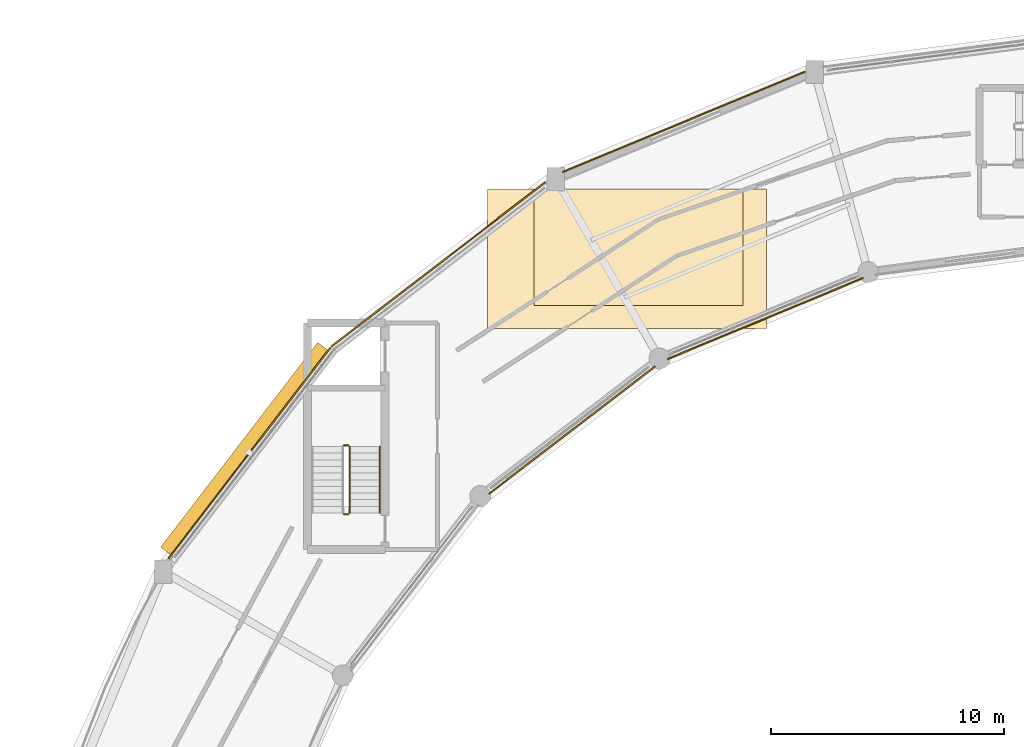
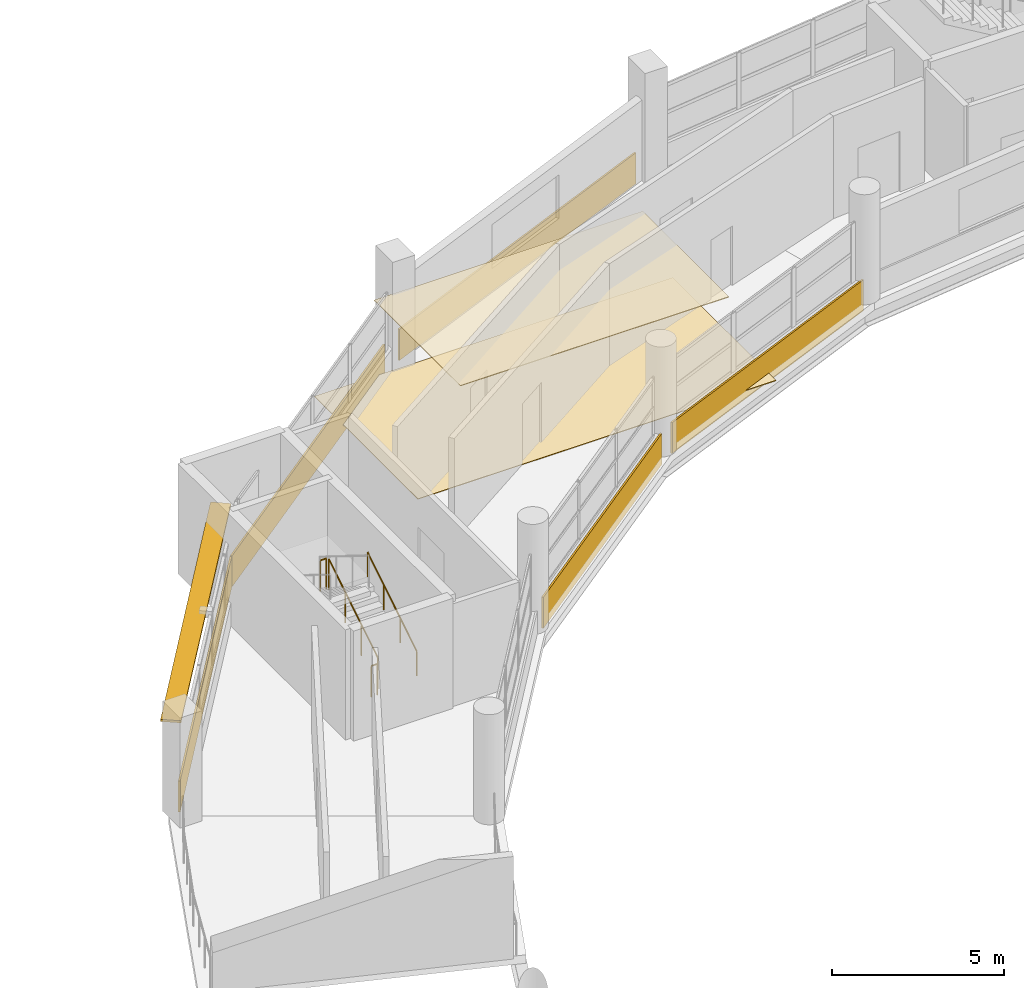
# One storey, part 85 of 88: 7 coverings, 4 railings, 1 shading device.
"""IFC4 building model written with IfcOpenShell, lengths in metres."""

from ifc_helpers import new_model, si_unit, direction, frame, frame_2d, origin, origin_2d, place, context, subcontext, project, spatial, polyline, rectangle, circle, outline, extrude, material, layer, layer_set, type_object, element, save


model = new_model("IFC4")

# Units and contexts
model_context = context("Model", 3, precision=1e-05, world=origin(), true_north=direction((0.0, 1.0)))
body_context = subcontext(model_context, "Body", "Model", "MODEL_VIEW")
ifc_project = project(units=[si_unit("LENGTHUNIT", "METRE"), si_unit("AREAUNIT", "SQUARE_METRE"), si_unit("VOLUMEUNIT", "CUBIC_METRE"), si_unit("PLANEANGLEUNIT", "RADIAN"), si_unit("MASSUNIT", "GRAM", prefix="KILO")], contexts=[model_context])

# Site, building, storey
site_placement = place(None, origin())
site = spatial("IfcSite", under=ifc_project, at=site_placement, CompositionType="ELEMENT")
building_placement = place(site_placement, origin())
building = spatial("IfcBuilding", under=site, at=building_placement, Name="Vespera Passage Community Centre", CompositionType="ELEMENT")
storey_placement = place(building_placement, frame((0.0, 0.0, 16.5)))
storey = spatial("IfcBuildingStorey", under=building, at=storey_placement, Name="L04", CompositionType="ELEMENT", Elevation=16.5)

# Coverings
ifc_material_1 = material(Name="Acoustic mineral-fibre tile")
ifc_layer_1 = layer(ifc_material_1, 0.02490234375)
ifc_layer_set_1 = layer_set([ifc_layer_1], Name="Acoustic mineral-fibre tile")
covering_type_1 = type_object("IfcCoveringType", Name="COV-CEIL-25I", PredefinedType="CEILING", material=ifc_layer_set_1)
covering_1_placement = place(storey_placement, frame((0.0, 0.0, 2.699951171875)))
element("IfcCovering", 1, at=covering_1_placement, inside=storey, type_object=covering_type_1, Name="Library Reading Hall Acoustic Ceiling", PredefinedType="CEILING", context=body_context, shape_type="SweptSolid", body=[
    extrude(outline(polyline([(54.0, 100.0), (63.0, 100.0), (63.0, 105.0), (54.0, 105.0), (54.0, 100.0)])), origin(), (0.0, 0.0, 1.0), 0.025146484375),
])
ifc_material_2 = material(Name="Precast concrete f'c 40 MPa", Category="concrete")
ifc_layer_2 = layer(ifc_material_2, 0.06005859375)
ifc_layer_set_2 = layer_set([ifc_layer_2], Name="Precast concrete f'c 40 MPa")
covering_type_2 = type_object("IfcCoveringType", Name="COV-CLAD-60E", PredefinedType="CLADDING", material=ifc_layer_set_2)
covering_2_placement = place(storey_placement, frame((55.23681640625, 105.726806640625, -0.280029296875), z_axis=(0.0, 0.0, 1.0), x_axis=(0.923883530636, 0.382673779896, 0.0)))
element("IfcCovering", 2, at=covering_2_placement, inside=storey, type_object=covering_type_2, Name="V4 L04 Outer White Sill Band O7", PredefinedType="CLADDING", context=body_context, shape_type="SweptSolid", body=[
    extrude(rectangle(XDim=11.2724609375, YDim=0.06005859375, at=frame_2d((5.63623046875, 0.0))), origin(), (0.0, 0.0, 1.0), 1.10009765625),
])
covering_3_placement = place(storey_placement, frame((68.154296875, 101.174560546875, -0.280029296875), z_axis=(0.0, 0.0, 1.0), x_axis=(-0.92387477551, -0.38269491658, 0.0)))
element("IfcCovering", 3, at=covering_3_placement, inside=storey, type_object=covering_type_2, Name="V4 L04 Inner Court White Spandrel Band I7", PredefinedType="CLADDING", context=body_context, shape_type="SweptSolid", body=[
    extrude(rectangle(XDim=9.11181640625, YDim=0.06005859375, at=frame_2d((4.555908203125, 0.0))), origin(), (0.0, 0.0, 1.0), 1.10009765625),
])
covering_4_placement = place(storey_placement, frame((45.298828125, 98.232421875, -0.280029296875), z_axis=(0.0, 0.0, 1.0), x_axis=(0.793347191248, 0.608769442514, 0.0)))
element("IfcCovering", 4, at=covering_4_placement, inside=storey, type_object=covering_type_2, Name="V4 L04 Outer White Spandrel Band O8", PredefinedType="CLADDING", context=body_context, shape_type="SweptSolid", body=[
    extrude(rectangle(XDim=11.5869140625, YDim=0.06005859375, at=frame_2d((5.79345703125, 0.0))), origin(), (0.0, 0.0, 1.0), 1.10009765625),
])
covering_5_placement = place(storey_placement, frame((59.214111328125, 97.378173828125, -0.280029296875), z_axis=(0.0, 0.0, 1.0), x_axis=(-0.793350132061, -0.608765610033, 0.0)))
element("IfcCovering", 5, at=covering_5_placement, inside=storey, type_object=covering_type_2, Name="V4 L04 Inner Court White Spandrel Band I8", PredefinedType="CLADDING", context=body_context, shape_type="SweptSolid", body=[
    extrude(rectangle(XDim=9.004638671875, YDim=0.06005859375, at=frame_2d((4.50244140625, 0.0))), origin(), (0.0, 0.0, 1.0), 1.10009765625),
])
covering_6_placement = place(storey_placement, frame((38.301025390625, 89.122314453125, -0.280029296875), z_axis=(0.0, 0.0, 1.0), x_axis=(0.608766951842, 0.793349102441, 0.0)))
element("IfcCovering", 6, at=covering_6_placement, inside=storey, type_object=covering_type_2, Name="V4 L04 Outer White Spandrel Band O9", PredefinedType="CLADDING", context=body_context, shape_type="SweptSolid", body=[
    extrude(rectangle(XDim=11.443603515625, YDim=0.06005859375, at=frame_2d((5.7216796875, 0.0))), origin(), (0.0, 0.0, 1.0), 1.10009765625),
])
ifc_material_3 = material(Name="Epoxy terrazzo flooring")
ifc_layer_3 = layer(ifc_material_3, 0.02001953125)
ifc_layer_set_3 = layer_set([ifc_layer_3], Name="Epoxy terrazzo flooring")
covering_type_3 = type_object("IfcCoveringType", Name="COV-FLOOR-20I", PredefinedType="FLOORING", material=ifc_layer_set_3)
covering_7_placement = place(storey_placement, origin())
element("IfcCovering", 7, at=covering_7_placement, inside=storey, type_object=covering_type_3, Name="Library Reading Hall Flooring", PredefinedType="FLOORING", context=body_context, shape_type="SweptSolid", body=[
    extrude(outline(polyline([(52.0, 99.0), (64.0, 99.0), (64.0, 105.0), (52.0, 105.0), (52.0, 99.0)])), origin(), (0.0, 0.0, 1.0), 0.02001953125),
])

# Railings
ifc_material_4 = material(Name="Steel ASTM A500 Grade C", Category="steel")
railing_type_1 = type_object("IfcRailingType", Name="RL-HAND-900I", PredefinedType="HANDRAIL", material=ifc_material_4)
railing_1_placement = place(storey_placement, frame((47.383056640625, 91.077880859375, 0.17724609375)))
element("IfcRailing", 8, at=railing_1_placement, inside=storey, type_object=railing_type_1, Name="L04 ST03 stair handrail 1", PredefinedType="HANDRAIL", context=body_context, shape_type="SweptSolid", body=[
    extrude(circle(Radius=0.02392578125, at=origin_2d()), frame((0.0, 0.0, 0.8759765625), z_axis=(0.0, 0.849148672731, 0.528153890072), x_axis=(-1.0, 0.0, 0.0)), (0.0, 0.0, 1.0), 3.3564453125),
    extrude(circle(Radius=0.02099609375, at=origin_2d()), origin(), (0.0, 0.0, 1.0), 0.851806640625),
    extrude(circle(Radius=0.02099609375, at=origin_2d()), frame((0.0, 0.949951171875, 0.5908203125)), (0.0, 0.0, 1.0), 0.851806640625),
    extrude(circle(Radius=0.02099609375, at=origin_2d()), frame((0.0, 1.900146484375, 1.181884765625)), (0.0, 0.0, 1.0), 0.851806640625),
    extrude(circle(Radius=0.02099609375, at=origin_2d()), frame((0.0, 2.85009765625, 1.772705078125)), (0.0, 0.0, 1.0), 0.851806640625),
])
ifc_material_5 = material(Name="Steel ASTM A500 Grade C", Category="steel")
railing_type_2 = type_object("IfcRailingType", Name="RL-STAIR-1100I", PredefinedType="GUARDRAIL", material=ifc_material_5)
railing_2_placement = place(storey_placement, frame((46.0830078125, 91.077880859375, 0.17724609375)))
element("IfcRailing", 9, at=railing_2_placement, inside=storey, type_object=railing_type_2, Name="L04 ST03 stair guard 1", PredefinedType="GUARDRAIL", context=body_context, shape_type="SweptSolid", body=[
    extrude(circle(Radius=0.02392578125, at=origin_2d()), frame((0.0, 0.0, 1.09619140625), z_axis=(0.0, 0.849148672731, 0.528153890072), x_axis=(-1.0, 0.0, 0.0)), (0.0, 0.0, 1.0), 3.3564453125),
    extrude(circle(Radius=0.02099609375, at=origin_2d()), origin(), (0.0, 0.0, 1.0), 1.072021484375),
    extrude(circle(Radius=0.02099609375, at=origin_2d()), frame((0.0, 0.949951171875, 0.5908203125)), (0.0, 0.0, 1.0), 1.072021484375),
    extrude(circle(Radius=0.02099609375, at=origin_2d()), frame((0.0, 1.900146484375, 1.181884765625)), (0.0, 0.0, 1.0), 1.072021484375),
    extrude(circle(Radius=0.02099609375, at=origin_2d()), frame((0.0, 2.85009765625, 1.772705078125)), (0.0, 0.0, 1.0), 1.072021484375),
])
for number, where, name in (
    (10, (46.032958984375, 93.97802734375, 1.949951171875), "L04 ST03 stair guard 2"),
    (11, (46.032958984375, 91.028076171875, 0.0), "L04 ST03 stair guard 4"),
):
    element("IfcRailing", number, at=place(storey_placement, frame(where)), inside=storey, type_object=railing_type_2, Name=name, PredefinedType="GUARDRAIL", context=body_context, shape_type="SweptSolid", body=[
        extrude(circle(Radius=0.02392578125, at=origin_2d()), frame((0.0, 0.0, 1.09619140625), z_axis=(-1.0, 0.0, 0.0), x_axis=(0.0, -1.0, 0.0)), (0.0, 0.0, 1.0), 0.199951171875),
        extrude(circle(Radius=0.02099609375, at=origin_2d()), origin(), (0.0, 0.0, 1.0), 1.072021484375),
        extrude(circle(Radius=0.02099609375, at=origin_2d()), frame((-0.199951171875, 0.0, 0.0)), (0.0, 0.0, 1.0), 1.072021484375),
    ])

# Shading device
ifc_material_6 = material(Name="Anodized aluminium 6063-T6", Category="aluminium")
shading_device_type = type_object("IfcShadingDeviceType", Name="SHD-EYEBROW", PredefinedType="JALOUSIE", material=ifc_material_6)
shading_device_placement = place(storey_placement, frame((41.570068359375, 93.826171875, 2.74560546875), z_axis=(0.0, 0.0, 1.0), x_axis=(0.608761429009, 0.793353340291, 0.0)))
element("IfcShadingDevice", 12, at=shading_device_placement, inside=storey, type_object=shading_device_type, Name="V4 L04 Outer Solar Eyebrow 9", PredefinedType="JALOUSIE", context=body_context, shape_type="SweptSolid", body=[
    extrude(rectangle(XDim=11.093505859375, YDim=0.60009765625, at=origin_2d()), origin(), (0.0, 0.0, 1.0), 0.080078125),
])

save(model, "model.ifc")
